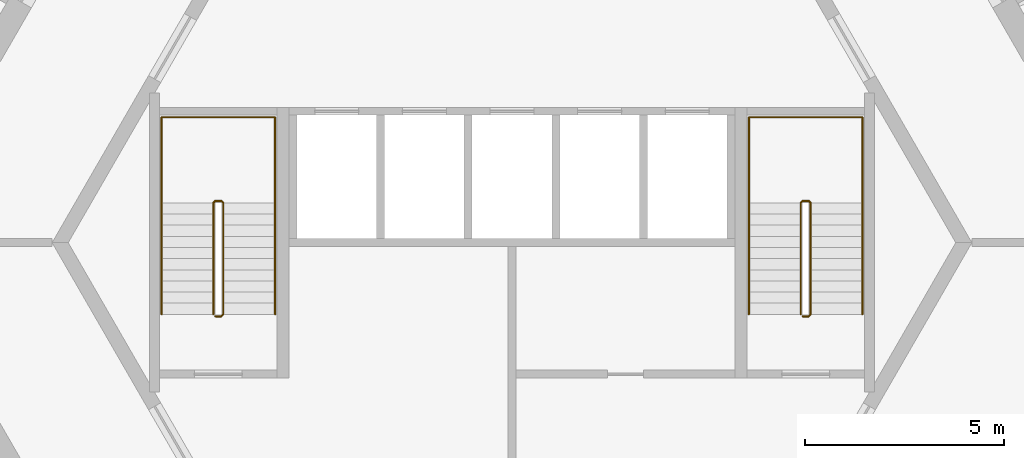
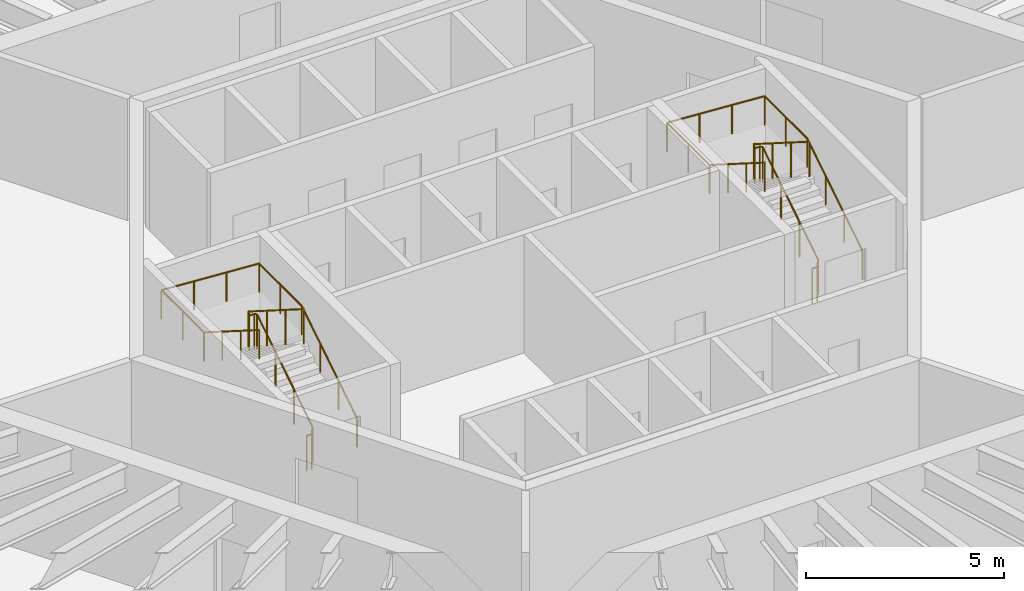
# One storey, part 12 of 12: 4 railings.
"""IFC4 building model written with IfcOpenShell, lengths in metres."""

from ifc_helpers import new_model, si_unit, direction, frame, origin, origin_2d, place, context, subcontext, project, spatial, circle, extrude, material, type_object, element, save


model = new_model("IFC4")

# Units and contexts
model_context = context("Model", 3, precision=1e-05, world=origin(), true_north=direction((0.0, 1.0)))
body_context = subcontext(model_context, "Body", "Model", "MODEL_VIEW")
ifc_project = project(units=[si_unit("LENGTHUNIT", "METRE"), si_unit("AREAUNIT", "SQUARE_METRE"), si_unit("VOLUMEUNIT", "CUBIC_METRE"), si_unit("PLANEANGLEUNIT", "RADIAN"), si_unit("MASSUNIT", "GRAM", prefix="KILO")], contexts=[model_context])

# Site, building, storey
site_placement = place(None, origin())
site = spatial("IfcSite", under=ifc_project, at=site_placement, CompositionType="ELEMENT")
building_placement = place(site_placement, origin())
building = spatial("IfcBuilding", under=site, at=building_placement, Name="Tarnside Tower", CompositionType="ELEMENT")
storey_placement = place(building_placement, frame((0.0, 0.0, 131.10009765625)))
storey = spatial("IfcBuildingStorey", under=building, at=storey_placement, Name="L30", CompositionType="ELEMENT", Elevation=131.10009765625)

# Railings
ifc_material = material(Name="Stainless steel", Category="steel")
railing_type_1 = type_object("IfcRailingType", Name="Stair guard 1100", PredefinedType="GUARDRAIL", material=ifc_material)
railing_1_placement = place(storey_placement, frame((7.300048828125, -1.85009765625, 0.0)))
element("IfcRailing", 1, at=railing_1_placement, inside=storey, type_object=railing_type_1, Name="L30 ST1 stair guard 1", PredefinedType="GUARDRAIL", context=body_context, shape_type="SweptSolid", body=[
    extrude(circle(Radius=0.02392578125, at=origin_2d()), frame((0.0, 0.0, 1.076171875), z_axis=(1.0, 0.0, 0.0), x_axis=(0.0, 1.0, 0.0)), (0.0, 0.0, 1.0), 0.14990234375),
    extrude(circle(Radius=0.02392578125, at=origin_2d()), frame((0.14990234375, 0.0, 1.076171875), z_axis=(0.262233686654, 0.262233686654, 0.928691007369), x_axis=(-0.707106781187, 0.707106781187, 0.0)), (0.0, 0.0, 1.0), 0.19091796875),
    extrude(circle(Radius=0.02392578125, at=origin_2d()), frame((0.199951171875, 0.050048828125, 1.25341796875), z_axis=(0.0, 0.844908973607, 0.534910110503), x_axis=(-1.0, 0.0, 0.0)), (0.0, 0.0, 1.0), 3.31396484375),
    extrude(circle(Radius=0.02392578125, at=origin_2d()), frame((0.199951171875, 2.85009765625, 3.02587890625), z_axis=(-0.707106781187, 0.707106781187, 0.0), x_axis=(-0.707106781187, -0.707106781187, 0.0)), (0.0, 0.0, 1.0), 0.07080078125),
    extrude(circle(Radius=0.02392578125, at=origin_2d()), frame((0.14990234375, 2.900146484375, 3.02587890625), z_axis=(-1.0, 0.0, 0.0), x_axis=(0.0, -1.0, 0.0)), (0.0, 0.0, 1.0), 0.14990234375),
    extrude(circle(Radius=0.02392578125, at=origin_2d()), frame((0.0, 2.900146484375, 3.02587890625), z_axis=(-0.262233686654, -0.262233686654, 0.928691007369), x_axis=(0.707106781187, -0.707106781187, 0.0)), (0.0, 0.0, 1.0), 0.19091796875),
    extrude(circle(Radius=0.02392578125, at=origin_2d()), frame((-0.050048828125, 2.85009765625, 3.203125), z_axis=(0.0, -0.844908973607, 0.534910110503), x_axis=(1.0, 0.0, 0.0)), (0.0, 0.0, 1.0), 3.31396484375),
    extrude(circle(Radius=0.02099609375, at=origin_2d()), origin(), (0.0, 0.0, 1.0), 1.052001953125),
    extrude(circle(Radius=0.02099609375, at=origin_2d()), frame((0.14990234375, 0.0, 0.0)), (0.0, 0.0, 1.0), 1.052001953125),
    extrude(circle(Radius=0.02099609375, at=origin_2d()), frame((0.199951171875, 0.050048828125, 0.17724609375)), (0.0, 0.0, 1.0), 1.052001953125),
    extrude(circle(Radius=0.02099609375, at=origin_2d()), frame((0.199951171875, 0.9833984375, 0.76806640625)), (0.0, 0.0, 1.0), 1.052001953125),
    extrude(circle(Radius=0.02099609375, at=origin_2d()), frame((0.199951171875, 1.916748046875, 1.359130859375)), (0.0, 0.0, 1.0), 1.052001953125),
    extrude(circle(Radius=0.02099609375, at=origin_2d()), frame((0.199951171875, 2.85009765625, 1.949951171875)), (0.0, 0.0, 1.0), 1.052001953125),
    extrude(circle(Radius=0.02099609375, at=origin_2d()), frame((0.14990234375, 2.900146484375, 1.949951171875)), (0.0, 0.0, 1.0), 1.052001953125),
    extrude(circle(Radius=0.02099609375, at=origin_2d()), frame((0.0, 2.900146484375, 1.949951171875)), (0.0, 0.0, 1.0), 1.052001953125),
    extrude(circle(Radius=0.02099609375, at=origin_2d()), frame((-0.050048828125, 2.85009765625, 2.127197265625)), (0.0, 0.0, 1.0), 1.052001953125),
    extrude(circle(Radius=0.02099609375, at=origin_2d()), frame((-0.050048828125, 1.916748046875, 2.718017578125)), (0.0, 0.0, 1.0), 1.052001953125),
    extrude(circle(Radius=0.02099609375, at=origin_2d()), frame((-0.050048828125, 0.9833984375, 3.30908203125)), (0.0, 0.0, 1.0), 1.052001953125),
    extrude(circle(Radius=0.02099609375, at=origin_2d()), frame((-0.050048828125, 0.050048828125, 3.89990234375)), (0.0, 0.0, 1.0), 1.052001953125),
])
railing_2_placement = place(storey_placement, frame((-7.449951171875, -1.85009765625, 0.0)))
element("IfcRailing", 2, at=railing_2_placement, inside=storey, type_object=railing_type_1, Name="L30 ST2 stair guard 1", PredefinedType="GUARDRAIL", context=body_context, shape_type="SweptSolid", body=[
    extrude(circle(Radius=0.02392578125, at=origin_2d()), frame((0.0, 0.0, 1.076171875), z_axis=(1.0, 0.0, 0.0), x_axis=(0.0, 1.0, 0.0)), (0.0, 0.0, 1.0), 0.14990234375),
    extrude(circle(Radius=0.02392578125, at=origin_2d()), frame((0.14990234375, 0.0, 1.076171875), z_axis=(0.262233686654, 0.262233686654, 0.928691007369), x_axis=(-0.707106781187, 0.707106781187, 0.0)), (0.0, 0.0, 1.0), 0.19091796875),
    extrude(circle(Radius=0.02392578125, at=origin_2d()), frame((0.199951171875, 0.050048828125, 1.25341796875), z_axis=(0.0, 0.844908973607, 0.534910110503), x_axis=(-1.0, 0.0, 0.0)), (0.0, 0.0, 1.0), 3.31396484375),
    extrude(circle(Radius=0.02392578125, at=origin_2d()), frame((0.199951171875, 2.85009765625, 3.02587890625), z_axis=(-0.707106781187, 0.707106781187, 0.0), x_axis=(-0.707106781187, -0.707106781187, 0.0)), (0.0, 0.0, 1.0), 0.07080078125),
    extrude(circle(Radius=0.02392578125, at=origin_2d()), frame((0.14990234375, 2.900146484375, 3.02587890625), z_axis=(-1.0, 0.0, 0.0), x_axis=(0.0, -1.0, 0.0)), (0.0, 0.0, 1.0), 0.14990234375),
    extrude(circle(Radius=0.02392578125, at=origin_2d()), frame((0.0, 2.900146484375, 3.02587890625), z_axis=(-0.262233686654, -0.262233686654, 0.928691007369), x_axis=(0.707106781187, -0.707106781187, 0.0)), (0.0, 0.0, 1.0), 0.19091796875),
    extrude(circle(Radius=0.02392578125, at=origin_2d()), frame((-0.050048828125, 2.85009765625, 3.203125), z_axis=(0.0, -0.844908973607, 0.534910110503), x_axis=(1.0, 0.0, 0.0)), (0.0, 0.0, 1.0), 3.31396484375),
    extrude(circle(Radius=0.02099609375, at=origin_2d()), origin(), (0.0, 0.0, 1.0), 1.052001953125),
    extrude(circle(Radius=0.02099609375, at=origin_2d()), frame((0.14990234375, 0.0, 0.0)), (0.0, 0.0, 1.0), 1.052001953125),
    extrude(circle(Radius=0.02099609375, at=origin_2d()), frame((0.199951171875, 0.050048828125, 0.17724609375)), (0.0, 0.0, 1.0), 1.052001953125),
    extrude(circle(Radius=0.02099609375, at=origin_2d()), frame((0.199951171875, 0.9833984375, 0.76806640625)), (0.0, 0.0, 1.0), 1.052001953125),
    extrude(circle(Radius=0.02099609375, at=origin_2d()), frame((0.199951171875, 1.916748046875, 1.359130859375)), (0.0, 0.0, 1.0), 1.052001953125),
    extrude(circle(Radius=0.02099609375, at=origin_2d()), frame((0.199951171875, 2.85009765625, 1.949951171875)), (0.0, 0.0, 1.0), 1.052001953125),
    extrude(circle(Radius=0.02099609375, at=origin_2d()), frame((0.14990234375, 2.900146484375, 1.949951171875)), (0.0, 0.0, 1.0), 1.052001953125),
    extrude(circle(Radius=0.02099609375, at=origin_2d()), frame((0.0, 2.900146484375, 1.949951171875)), (0.0, 0.0, 1.0), 1.052001953125),
    extrude(circle(Radius=0.02099609375, at=origin_2d()), frame((-0.050048828125, 2.85009765625, 2.127197265625)), (0.0, 0.0, 1.0), 1.052001953125),
    extrude(circle(Radius=0.02099609375, at=origin_2d()), frame((-0.050048828125, 1.916748046875, 2.718017578125)), (0.0, 0.0, 1.0), 1.052001953125),
    extrude(circle(Radius=0.02099609375, at=origin_2d()), frame((-0.050048828125, 0.9833984375, 3.30908203125)), (0.0, 0.0, 1.0), 1.052001953125),
    extrude(circle(Radius=0.02099609375, at=origin_2d()), frame((-0.050048828125, 0.050048828125, 3.89990234375)), (0.0, 0.0, 1.0), 1.052001953125),
])
railing_type_2 = type_object("IfcRailingType", Name="Stair handrail 900", PredefinedType="HANDRAIL", material=ifc_material)
railing_3_placement = place(storey_placement, frame((8.800048828125, -1.800048828125, 0.17724609375)))
element("IfcRailing", 3, at=railing_3_placement, inside=storey, type_object=railing_type_2, Name="L30 ST1 stair handrail 1", PredefinedType="HANDRAIL", context=body_context, shape_type="SweptSolid", body=[
    extrude(circle(Radius=0.02392578125, at=origin_2d()), frame((0.0, 0.0, 0.8857421875), z_axis=(0.0, 0.844908973607, 0.534910110503), x_axis=(-1.0, 0.0, 0.0)), (0.0, 0.0, 1.0), 3.31396484375),
    extrude(circle(Radius=0.02392578125, at=origin_2d()), frame((0.0, 2.800048828125, 2.65869140625), z_axis=(0.0, 1.0, 0.0), x_axis=(-1.0, 0.0, 0.0)), (0.0, 0.0, 1.0), 2.14990234375),
    extrude(circle(Radius=0.02392578125, at=origin_2d()), frame((0.0, 4.949951171875, 2.65869140625), z_axis=(-0.998071825391, 0.0, 0.06206956872), x_axis=(0.0, -1.0, 0.0)), (0.0, 0.0, 1.0), 2.855712890625),
    extrude(circle(Radius=0.02392578125, at=origin_2d()), frame((-2.85009765625, 4.949951171875, 2.8359375), z_axis=(0.0, -1.0, 0.0), x_axis=(1.0, 0.0, 0.0)), (0.0, 0.0, 1.0), 2.14990234375),
    extrude(circle(Radius=0.02392578125, at=origin_2d()), frame((-2.85009765625, 2.800048828125, 2.8359375), z_axis=(0.0, -0.844908973607, 0.534910110503), x_axis=(1.0, 0.0, 0.0)), (0.0, 0.0, 1.0), 3.31396484375),
    extrude(circle(Radius=0.02099609375, at=origin_2d()), origin(), (0.0, 0.0, 1.0), 0.86181640625),
    extrude(circle(Radius=0.02099609375, at=origin_2d()), frame((0.0, 0.933349609375, 0.5908203125)), (0.0, 0.0, 1.0), 0.86181640625),
    extrude(circle(Radius=0.02099609375, at=origin_2d()), frame((0.0, 1.86669921875, 1.181884765625)), (0.0, 0.0, 1.0), 0.86181640625),
    extrude(circle(Radius=0.02099609375, at=origin_2d()), frame((0.0, 2.800048828125, 1.772705078125)), (0.0, 0.0, 1.0), 0.86181640625),
    extrude(circle(Radius=0.02099609375, at=origin_2d()), frame((0.0, 3.875, 1.772705078125)), (0.0, 0.0, 1.0), 0.86181640625),
    extrude(circle(Radius=0.02099609375, at=origin_2d()), frame((0.0, 4.949951171875, 1.772705078125)), (0.0, 0.0, 1.0), 0.86181640625),
    extrude(circle(Radius=0.02099609375, at=origin_2d()), frame((-0.949951171875, 4.949951171875, 1.831787109375)), (0.0, 0.0, 1.0), 0.86181640625),
    extrude(circle(Radius=0.02099609375, at=origin_2d()), frame((-1.900146484375, 4.949951171875, 1.890869140625)), (0.0, 0.0, 1.0), 0.86181640625),
    extrude(circle(Radius=0.02099609375, at=origin_2d()), frame((-2.85009765625, 4.949951171875, 1.949951171875)), (0.0, 0.0, 1.0), 0.86181640625),
    extrude(circle(Radius=0.02099609375, at=origin_2d()), frame((-2.85009765625, 3.875, 1.949951171875)), (0.0, 0.0, 1.0), 0.86181640625),
    extrude(circle(Radius=0.02099609375, at=origin_2d()), frame((-2.85009765625, 2.800048828125, 1.949951171875)), (0.0, 0.0, 1.0), 0.86181640625),
    extrude(circle(Radius=0.02099609375, at=origin_2d()), frame((-2.85009765625, 1.86669921875, 2.540771484375)), (0.0, 0.0, 1.0), 0.86181640625),
    extrude(circle(Radius=0.02099609375, at=origin_2d()), frame((-2.85009765625, 0.933349609375, 3.1318359375)), (0.0, 0.0, 1.0), 0.86181640625),
    extrude(circle(Radius=0.02099609375, at=origin_2d()), frame((-2.85009765625, 0.0, 3.72265625)), (0.0, 0.0, 1.0), 0.86181640625),
])
railing_4_placement = place(storey_placement, frame((-5.949951171875, -1.800048828125, 0.17724609375)))
element("IfcRailing", 4, at=railing_4_placement, inside=storey, type_object=railing_type_2, Name="L30 ST2 stair handrail 1", PredefinedType="HANDRAIL", context=body_context, shape_type="SweptSolid", body=[
    extrude(circle(Radius=0.02392578125, at=origin_2d()), frame((0.0, 0.0, 0.8857421875), z_axis=(0.0, 0.844908973607, 0.534910110503), x_axis=(-1.0, 0.0, 0.0)), (0.0, 0.0, 1.0), 3.31396484375),
    extrude(circle(Radius=0.02392578125, at=origin_2d()), frame((0.0, 2.800048828125, 2.65869140625), z_axis=(0.0, 1.0, 0.0), x_axis=(-1.0, 0.0, 0.0)), (0.0, 0.0, 1.0), 2.14990234375),
    extrude(circle(Radius=0.02392578125, at=origin_2d()), frame((0.0, 4.949951171875, 2.65869140625), z_axis=(-0.998071825391, 0.0, 0.06206956872), x_axis=(0.0, -1.0, 0.0)), (0.0, 0.0, 1.0), 2.855712890625),
    extrude(circle(Radius=0.02392578125, at=origin_2d()), frame((-2.85009765625, 4.949951171875, 2.8359375), z_axis=(0.0, -1.0, 0.0), x_axis=(1.0, 0.0, 0.0)), (0.0, 0.0, 1.0), 2.14990234375),
    extrude(circle(Radius=0.02392578125, at=origin_2d()), frame((-2.85009765625, 2.800048828125, 2.8359375), z_axis=(0.0, -0.844908973607, 0.534910110503), x_axis=(1.0, 0.0, 0.0)), (0.0, 0.0, 1.0), 3.31396484375),
    extrude(circle(Radius=0.02099609375, at=origin_2d()), origin(), (0.0, 0.0, 1.0), 0.86181640625),
    extrude(circle(Radius=0.02099609375, at=origin_2d()), frame((0.0, 0.933349609375, 0.5908203125)), (0.0, 0.0, 1.0), 0.86181640625),
    extrude(circle(Radius=0.02099609375, at=origin_2d()), frame((0.0, 1.86669921875, 1.181884765625)), (0.0, 0.0, 1.0), 0.86181640625),
    extrude(circle(Radius=0.02099609375, at=origin_2d()), frame((0.0, 2.800048828125, 1.772705078125)), (0.0, 0.0, 1.0), 0.86181640625),
    extrude(circle(Radius=0.02099609375, at=origin_2d()), frame((0.0, 3.875, 1.772705078125)), (0.0, 0.0, 1.0), 0.86181640625),
    extrude(circle(Radius=0.02099609375, at=origin_2d()), frame((0.0, 4.949951171875, 1.772705078125)), (0.0, 0.0, 1.0), 0.86181640625),
    extrude(circle(Radius=0.02099609375, at=origin_2d()), frame((-0.949951171875, 4.949951171875, 1.831787109375)), (0.0, 0.0, 1.0), 0.86181640625),
    extrude(circle(Radius=0.02099609375, at=origin_2d()), frame((-1.900146484375, 4.949951171875, 1.890869140625)), (0.0, 0.0, 1.0), 0.86181640625),
    extrude(circle(Radius=0.02099609375, at=origin_2d()), frame((-2.85009765625, 4.949951171875, 1.949951171875)), (0.0, 0.0, 1.0), 0.86181640625),
    extrude(circle(Radius=0.02099609375, at=origin_2d()), frame((-2.85009765625, 3.875, 1.949951171875)), (0.0, 0.0, 1.0), 0.86181640625),
    extrude(circle(Radius=0.02099609375, at=origin_2d()), frame((-2.85009765625, 2.800048828125, 1.949951171875)), (0.0, 0.0, 1.0), 0.86181640625),
    extrude(circle(Radius=0.02099609375, at=origin_2d()), frame((-2.85009765625, 1.86669921875, 2.540771484375)), (0.0, 0.0, 1.0), 0.86181640625),
    extrude(circle(Radius=0.02099609375, at=origin_2d()), frame((-2.85009765625, 0.933349609375, 3.1318359375)), (0.0, 0.0, 1.0), 0.86181640625),
    extrude(circle(Radius=0.02099609375, at=origin_2d()), frame((-2.85009765625, 0.0, 3.72265625)), (0.0, 0.0, 1.0), 0.86181640625),
])

save(model, "model.ifc")
